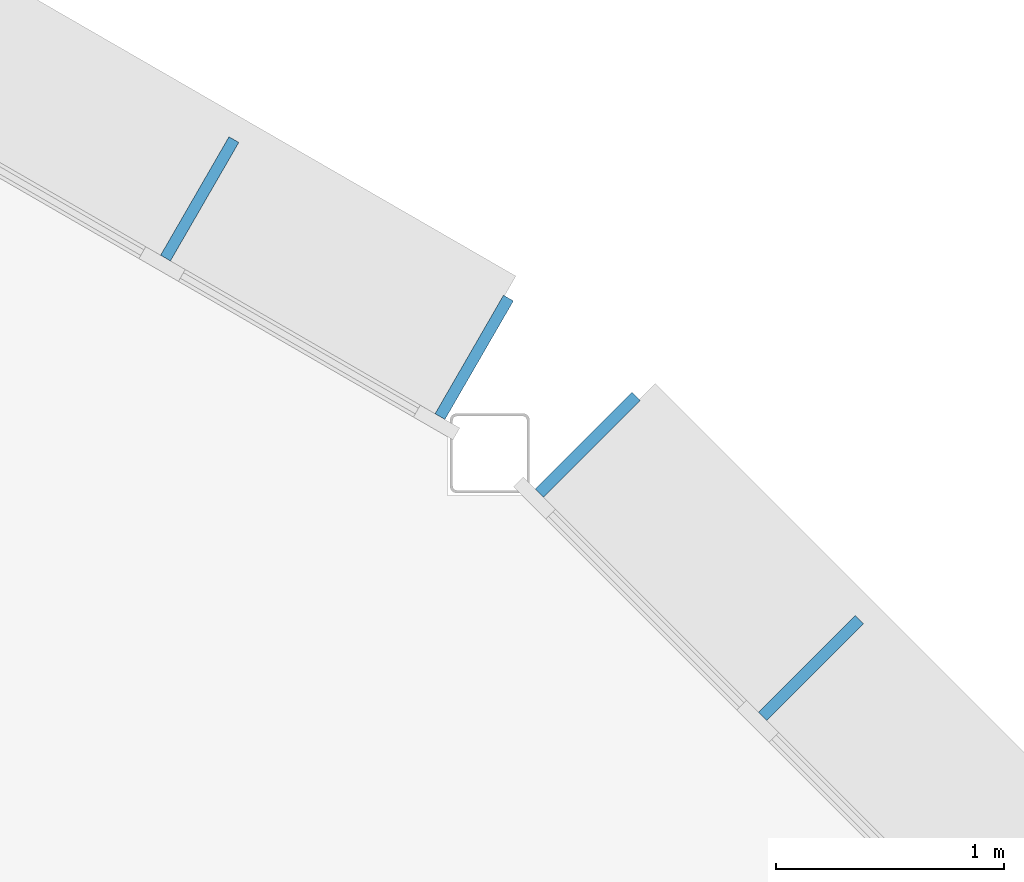
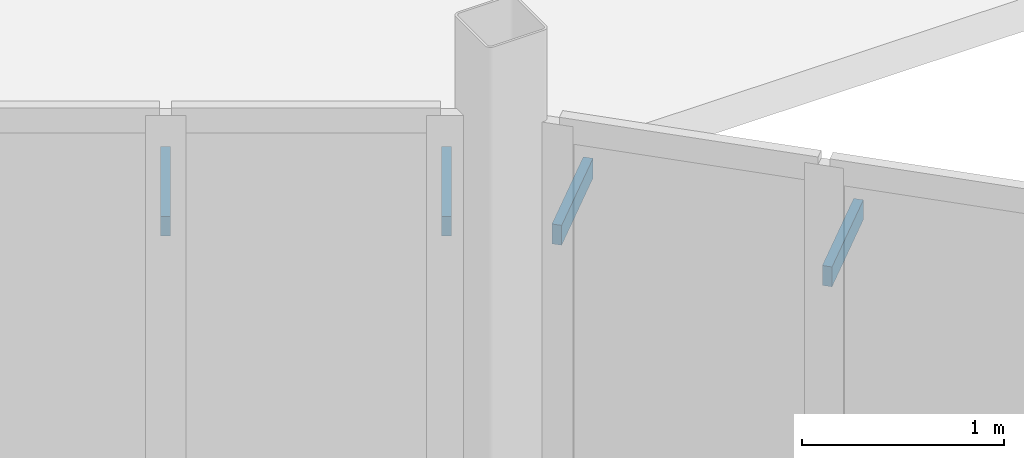
# One storey, part 58 of 74: 4 discrete accessories.
"""IFC4 building model written with IfcOpenShell, lengths in metres."""

from ifc_helpers import new_model, si_unit, direction, frame, origin, origin_2d, place, context, subcontext, project, spatial, rectangle, extrude, material, layer, layer_set, type_object, element, save


model = new_model("IFC4")

# Units and contexts
model_context = context("Model", 3, precision=1e-05, world=origin(), true_north=direction((0.0, 1.0)))
body_context = subcontext(model_context, "Body", "Model", "MODEL_VIEW")
ifc_project = project(units=[si_unit("LENGTHUNIT", "METRE"), si_unit("AREAUNIT", "SQUARE_METRE"), si_unit("VOLUMEUNIT", "CUBIC_METRE"), si_unit("PLANEANGLEUNIT", "RADIAN"), si_unit("MASSUNIT", "GRAM", prefix="KILO")], contexts=[model_context])

# Site, building, storey
site_placement = place(None, origin())
site = spatial("IfcSite", under=ifc_project, at=site_placement, CompositionType="ELEMENT")
building_placement = place(site_placement, origin())
building = spatial("IfcBuilding", under=site, at=building_placement, Name="Hortulan Conservatory and Botanical Research Centre", CompositionType="ELEMENT")
storey_placement = place(building_placement, frame((0.0, 0.0, 6.0)))
storey = spatial("IfcBuildingStorey", under=building, at=storey_placement, Name="L01", CompositionType="ELEMENT", Elevation=6.0)

# Discrete accessories
ifc_material = material(Name="Bronze-charcoal painted wrought iron", Category="metal")
ifc_layer = layer(ifc_material, 0.050048828125)
ifc_layer_set = layer_set([ifc_layer], Name="Blade Hanger Bracket 50x600x120")
discrete_accessory_type = type_object("IfcDiscreteAccessoryType", Name="Blade Hanger Bracket 50x600x120", PredefinedType="BRACKET", material=ifc_layer_set)
for number, where, z_axis, x_axis, name in (
    (1, (65.481689453125, 32.44091796875, 2.97998046875), (0.0, 0.0, 1.0), (0.707106781187, -0.707106781187, 0.0), "Blade hanger bracket"),
    (2, (66.4609375, 31.461669921875, 2.97998046875), (0.0, 0.0, 1.0), (0.707106781187, -0.707106781187, 0.0), "Blade hanger bracket"),
    (3, (63.780029296875, 33.519287109375, 2.97998046875), (0.0, 0.0, 1.0), (0.86603587557, -0.499981861897, 0.0), "Blade hanger bracket"),
    (4, (64.98388671875, 32.82421875, 2.97998046875), (0.0, 0.0, 1.0), (0.86603587557, -0.499981861897, 0.0), "Blade hanger bracket"),
):
    element("IfcDiscreteAccessory", number, at=place(storey_placement, frame(where, z_axis=z_axis, x_axis=x_axis)), inside=storey, type_object=discrete_accessory_type, Name=name, PredefinedType="BRACKET", context=body_context, shape_type="SweptSolid", body=[
        extrude(rectangle(XDim=0.050048828125, YDim=0.60009765625, at=origin_2d()), origin(), (0.0, 0.0, 1.0), 0.1201171875),
    ])

save(model, "model.ifc")
